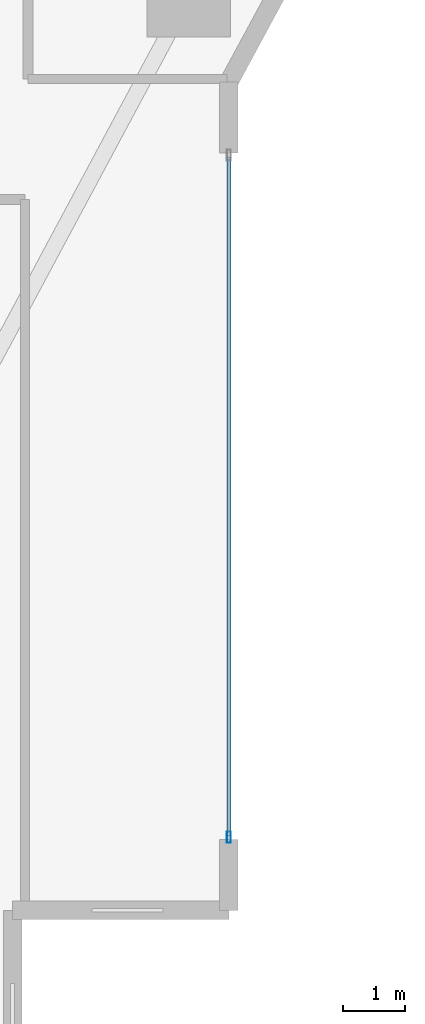
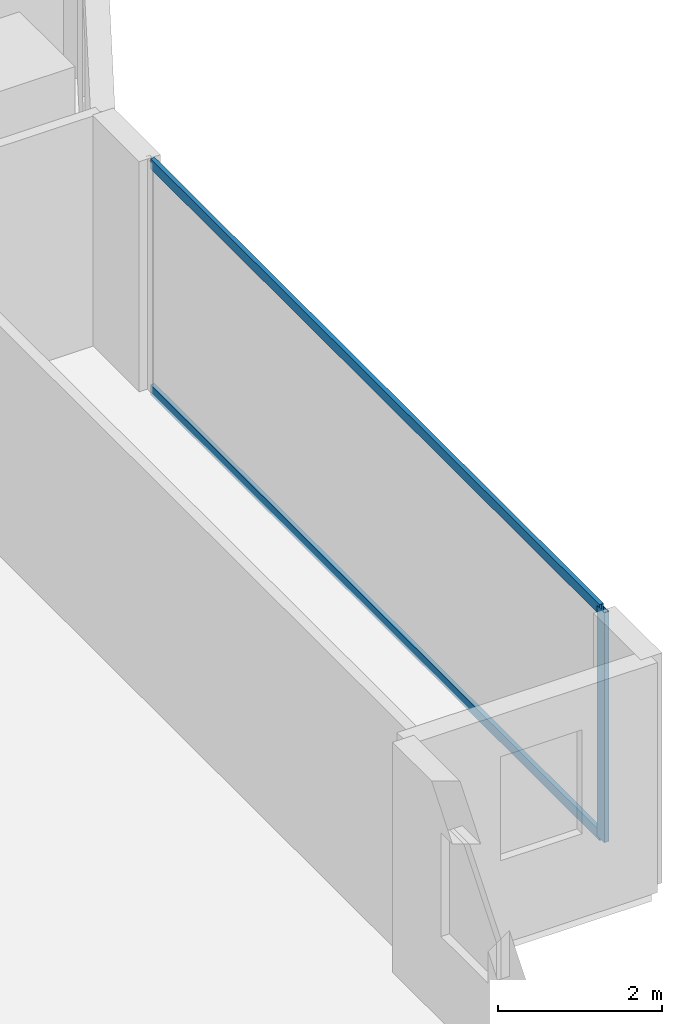
# One storey, part 11 of 29: 3 members, 1 element without a shape of its own.
"""IFC4 building model written with IfcOpenShell, lengths in metres."""

from ifc_helpers import new_model, si_unit, direction, frame, origin, origin_2d, place, context, subcontext, project, spatial, hollow_rectangle, extrude, material, layer, layer_set, material_profile, profile_set, type_object, element, aggregate, save


model = new_model("IFC4")

# Units and contexts
model_context = context("Model", 3, precision=1e-05, world=origin(), true_north=direction((0.0, 1.0)))
body_context = subcontext(model_context, "Body", "Model", "MODEL_VIEW")
ifc_project = project(units=[si_unit("LENGTHUNIT", "METRE"), si_unit("AREAUNIT", "SQUARE_METRE"), si_unit("VOLUMEUNIT", "CUBIC_METRE"), si_unit("PLANEANGLEUNIT", "RADIAN"), si_unit("MASSUNIT", "GRAM", prefix="KILO")], contexts=[model_context])

# Site, building, storey
site_placement = place(None, origin())
site = spatial("IfcSite", under=ifc_project, at=site_placement, CompositionType="ELEMENT")
building_placement = place(site_placement, origin())
building = spatial("IfcBuilding", under=site, at=building_placement, Name="Zuhayl Quay Hotel", CompositionType="ELEMENT")
storey_placement = place(building_placement, frame((0.0, 0.0, 113.89990234375)))
storey = spatial("IfcBuildingStorey", under=building, at=storey_placement, Name="L28", CompositionType="ELEMENT", Elevation=113.89990234375)

# Curtain wall, members
ifc_material_1 = material(Name="Anodised Aluminium 6063-T6", Category="aluminium")
ifc_layer = layer(ifc_material_1, 0.179931640625, Name="Anodised Aluminium 6063-T6", Category="aluminium")
ifc_layer_set = layer_set([ifc_layer], Name="Anodised Aluminium 6063-T6")
curtain_wall_type = type_object("IfcCurtainWallType", Name="CW_SYS_Z2", PredefinedType="USERDEFINED", material=ifc_layer_set)
curtain_wall_placement = place(storey_placement, origin())
curtain_wall = element("IfcCurtainWall", 1, at=curtain_wall_placement, inside=storey, type_object=curtain_wall_type, Name="L28 Curtain Wall ENV_L28_E14_CW1", ObjectType="UNITISED CURTAIN WALL", PredefinedType="USERDEFINED")
ifc_material_2 = material(Name="Black-anodised aluminium 6063-T6", Category="aluminium")
ifc_material_profile_1 = material_profile(ifc_material_2, hollow_rectangle(XDim=0.06494140625, YDim=0.179931640625, WallThickness=0.00341796875, at=origin_2d()), Name="ALU180X65")
ifc_profile_set_1 = profile_set([ifc_material_profile_1], Name="Black-anodised aluminium 6063-T6")
member_type_1 = type_object("IfcMemberType", Name="MB_CW_MUL_180", PredefinedType="MULLION", material=ifc_profile_set_1)
member_1_placement = place(storey_placement, frame((23.89990234375, -10.717529296875, 0.0), z_axis=(0.0, 0.0, 1.0), x_axis=(1.0, 0.0, 0.0)))
member_1 = element("IfcMember", 2, at=member_1_placement, type_object=member_type_1, Name="CW-Z2 mullion 2", PredefinedType="MULLION", context=body_context, shape_type="SweptSolid", body=[
    extrude(hollow_rectangle(XDim=0.06494140625, YDim=0.179931640625, WallThickness=0.00341796875, at=origin_2d()), origin(), (0.0, 0.0, 1.0), 3.43017578125),
])
ifc_material_profile_2 = material_profile(ifc_material_2, hollow_rectangle(XDim=0.06005859375, YDim=0.14990234375, WallThickness=0.00341796875, at=origin_2d()), Name="ALU150X60")
ifc_profile_set_2 = profile_set([ifc_material_profile_2], Name="Black-anodised aluminium 6063-T6")
member_type_2 = type_object("IfcMemberType", Name="MB_CW_TRN_150", PredefinedType="USERDEFINED", material=ifc_profile_set_2)
member_2_placement = place(storey_placement, frame((23.89990234375, 0.284912109375, 0.030029296875), z_axis=(0.0, -1.0, 0.0), x_axis=(1.0, 0.0, 0.0)))
member_2 = element("IfcMember", 3, at=member_2_placement, type_object=member_type_2, Name="CW-Z2 transom 1.1", ObjectType="TRANSOM", PredefinedType="USERDEFINED", context=body_context, shape_type="SweptSolid", body=[
    extrude(hollow_rectangle(XDim=0.06005859375, YDim=0.14990234375, WallThickness=0.00341796875, at=origin_2d()), origin(), (0.0, 0.0, 1.0), 10.969970703125),
])
member_3_placement = place(storey_placement, frame((23.89990234375, 0.284912109375, 3.400146484375), z_axis=(0.0, -1.0, 0.0), x_axis=(1.0, 0.0, 0.0)))
member_3 = element("IfcMember", 4, at=member_3_placement, type_object=member_type_2, Name="CW-Z2 transom 1.2", ObjectType="TRANSOM", PredefinedType="USERDEFINED", context=body_context, shape_type="SweptSolid", body=[
    extrude(hollow_rectangle(XDim=0.06005859375, YDim=0.14990234375, WallThickness=0.00341796875, at=origin_2d()), origin(), (0.0, 0.0, 1.0), 10.969970703125),
])
aggregate(curtain_wall, [member_1, member_2, member_3])

save(model, "model.ifc")
